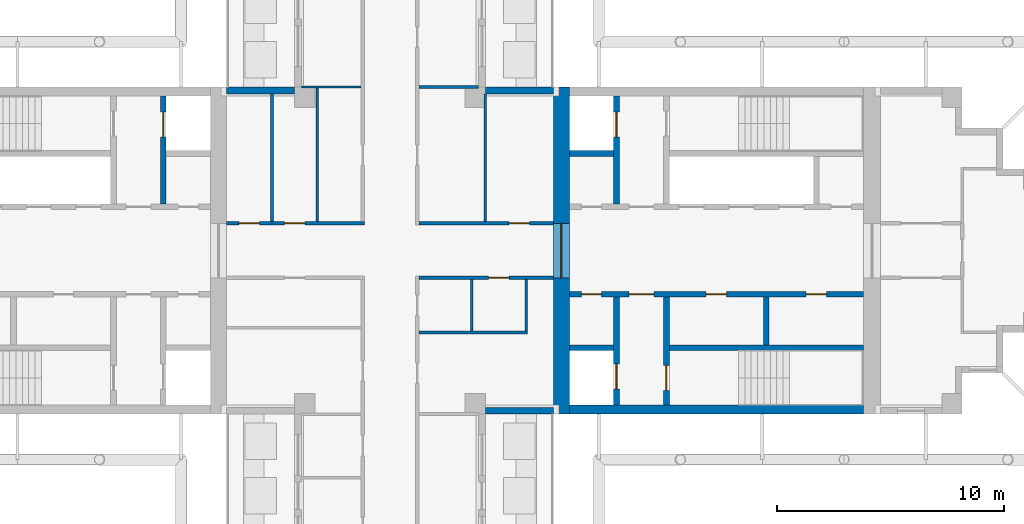
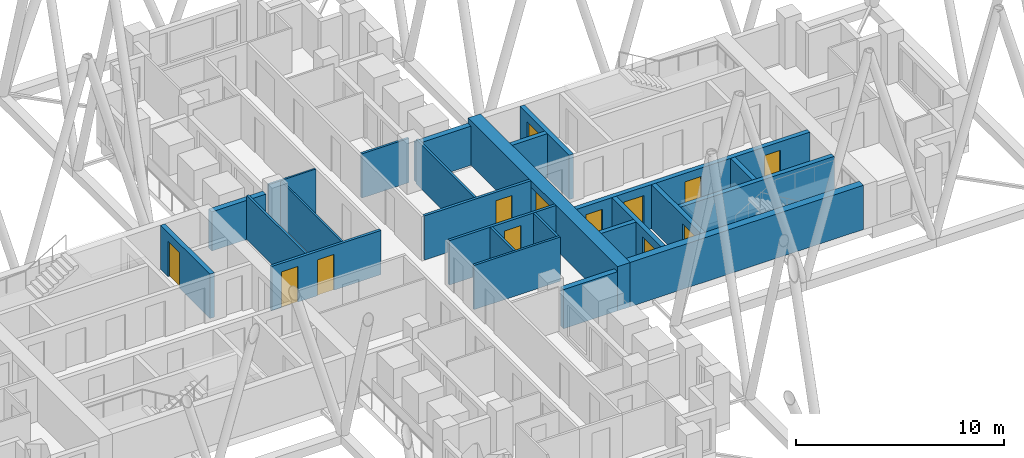
# One storey, part 6 of 11: 25 walls, 13 doors, 13 openings.
"""IFC4 building model written with IfcOpenShell, lengths in metres."""

import ifcopenshell
import ifcopenshell.guid

model = None  # the IFC model being written
_history = None  # IfcOwnerHistory: only IFC2X3 demands one
_inside = {}  # id of a spatial element -> (the spatial element, [elements in it])
_under = {}  # id of a project, library or spatial element -> (it, [spatial elements below it])
_declared = {}  # id of a project -> (the project, [libraries it declares])
_typed = {}  # id of a type object -> (the type object, [elements of that type])
_made_of = {}  # id of a material, layer set ... -> (it, [elements and type objects made of it])


def new_model(schema):
    """Start an empty IFC model of exactly this schema.

    Asked for "IFC4X3", IfcOpenShell would pick the latest addendum, in which some entities
    have other attributes; the version numbers below select the first issue.
    IFC2X3 requires an IfcOwnerHistory on every rooted entity: one is made here for all.
    """
    global model, _history
    if schema == "IFC4X3":
        model = ifcopenshell.file(schema_version=(4, 3, 0, 0))
    else:
        model = ifcopenshell.file(schema=schema)
    _inside.clear()
    _under.clear()
    _declared.clear()
    _typed.clear()
    _made_of.clear()
    _history = None
    if model.schema == "IFC2X3":
        org = make("IfcOrganization", Name="unknown")
        user = make(
            "IfcPersonAndOrganization",
            ThePerson=make("IfcPerson", FamilyName="unknown"),
            TheOrganization=org,
        )
        app = make(
            "IfcApplication",
            ApplicationDeveloper=org,
            Version="unknown",
            ApplicationFullName="unknown",
            ApplicationIdentifier="unknown",
        )
        _history = make(
            "IfcOwnerHistory",
            OwningUser=user,
            OwningApplication=app,
            ChangeAction="ADDED",
            CreationDate=0,
        )
    return model


def make(cls, **values):
    """One entity of the class cls with the attributes given. An attribute that is None is left unset."""
    return model.create_entity(
        cls, **{name: value for name, value in values.items() if value is not None}
    )


def rooted(cls, **values):
    """An entity with a GlobalId (a new one), such as an element, a storey or a relation."""
    return make(cls, GlobalId=ifcopenshell.guid.new(), OwnerHistory=_history, **values)


def si_unit(unit_type, name, prefix=None):
    """IfcSIUnit, for example si_unit("LENGTHUNIT", "METRE", prefix="MILLI")."""
    return make("IfcSIUnit", UnitType=unit_type, Prefix=prefix, Name=name)


def assignment(units):
    """IfcUnitAssignment: the units of a project."""
    return None if units is None else make("IfcUnitAssignment", Units=units)


def point(xyz):
    """IfcCartesianPoint."""
    return None if xyz is None else make("IfcCartesianPoint", Coordinates=xyz)


def direction(xyz):
    """IfcDirection."""
    return None if xyz is None else make("IfcDirection", DirectionRatios=xyz)


def frame(location, z_axis=None, x_axis=None):
    """IfcAxis2Placement3D, a coordinate frame: its origin and axes. An axis left out is left unset."""
    return make(
        "IfcAxis2Placement3D",
        Location=point(location),
        Axis=direction(z_axis),
        RefDirection=direction(x_axis),
    )


def frame_2d(location, x_axis=None):
    """IfcAxis2Placement2D, a coordinate frame in the plane: its origin and x axis."""
    return make(
        "IfcAxis2Placement2D", Location=point(location), RefDirection=direction(x_axis)
    )


def origin():
    """The frame at (0, 0, 0) with its axes left unset."""
    return frame((0.0, 0.0, 0.0))


def place(relative_to, where):
    """IfcLocalPlacement: puts the frame where relative to a parent placement (None: the world)."""
    return make(
        "IfcLocalPlacement", PlacementRelTo=relative_to, RelativePlacement=where
    )


def context(
    kind, dimensions, precision=None, world=None, true_north=None, identifier=None
):
    """IfcGeometricRepresentationContext, for example the 3D "Model" context."""
    return make(
        "IfcGeometricRepresentationContext",
        ContextIdentifier=identifier,
        ContextType=kind,
        CoordinateSpaceDimension=dimensions,
        Precision=precision,
        WorldCoordinateSystem=world,
        TrueNorth=true_north,
    )


def subcontext(parent, identifier, kind, view, scale=None):
    """IfcGeometricRepresentationSubContext, for example "Body" below "Model"."""
    return make(
        "IfcGeometricRepresentationSubContext",
        ContextIdentifier=identifier,
        ContextType=kind,
        ParentContext=parent,
        TargetScale=scale,
        TargetView=view,
    )


def project(units=None, contexts=None):
    """IfcProject with its units and contexts."""
    return rooted(
        "IfcProject",
        Name="project",
        RepresentationContexts=contexts,
        UnitsInContext=assignment(units),
    )


def spatial(cls, under=None, at=None, **own):
    """A site, building, storey or space (cls), placed at a placement, below another one or the project."""
    s = rooted(cls, ObjectPlacement=at, **own)
    if under is not None:
        _under.setdefault(under.id(), (under, []))[1].append(s)
    return s


def profile(cls, at=None, kind="AREA", **sizes):
    """A parametric profile (cls). Its sizes go by their IFC names, for example OverallWidth=200.0."""
    return make(cls, ProfileType=kind, Position=at, **sizes)


def rectangle(**sizes):
    """IfcRectangleProfileDef."""
    return profile("IfcRectangleProfileDef", **sizes)


def extrude(swept, where, along, depth):
    """IfcExtrudedAreaSolid: the profile swept, set in the frame where, extruded along a direction by depth."""
    return make(
        "IfcExtrudedAreaSolid",
        SweptArea=swept,
        Position=where,
        ExtrudedDirection=direction(along),
        Depth=depth,
    )


def shape(context_of_items, identifier, shape_type, items):
    """IfcShapeRepresentation: the items that make up one representation, for example the "Body"."""
    return make(
        "IfcShapeRepresentation",
        ContextOfItems=context_of_items,
        RepresentationIdentifier=identifier,
        RepresentationType=shape_type,
        Items=items,
    )


def material(Name=None, Category=None):
    """IfcMaterial."""
    return make("IfcMaterial", Name=Name, Category=Category)


def layer(
    of_material, thickness, ventilated=None, Name=None, Category=None, Priority=None
):
    """IfcMaterialLayer: one layer of a wall or slab, of a material (None: an air gap)."""
    return make(
        "IfcMaterialLayer",
        Material=of_material,
        LayerThickness=thickness,
        IsVentilated=ventilated,
        Name=Name,
        Category=Category,
        Priority=Priority,
    )


def layer_set(layers, Name=None):
    """IfcMaterialLayerSet."""
    return make("IfcMaterialLayerSet", MaterialLayers=layers, LayerSetName=Name)


def made_of(thing, what):
    """Note that an element or type object is made of a material, layer set ...; save() writes the relation."""
    if what is not None:
        _made_of.setdefault(what.id(), (what, []))[1].append(thing)
    return thing


def type_object(cls, material=None, **own):
    """A type object (cls), such as IfcWallType, which elements share."""
    return made_of(rooted(cls, **own), material)


def element(
    cls,
    number,
    at=None,
    inside=None,
    cuts=None,
    type_object=None,
    material=None,
    context=None,
    identifier="Body",
    shape_type=None,
    held_by="IfcProductDefinitionShape",
    body=None,
    shapes=None,
    **own,
):
    """One element of the class cls, such as IfcWall. Its Tag is "e" and its number.

    at: its placement. inside: the storey or other place that contains it. cuts: it is an
    opening in that element (IfcRelVoidsElement). A single representation is given by context,
    identifier, shape_type and body (its items); several are given by shapes. held_by: the class
    of the entity that holds the representations. save() writes the other relations.
    """
    e = rooted(cls, Tag="e%d" % number, ObjectPlacement=at, **own)
    if body is not None:
        shapes = [shape(context, identifier, shape_type, body)]
    if shapes is not None:
        e.Representation = make(held_by, Representations=shapes)
    if inside is not None:
        _inside.setdefault(inside.id(), (inside, []))[1].append(e)
    if cuts is not None:
        rooted(
            "IfcRelVoidsElement", RelatingBuildingElement=cuts, RelatedOpeningElement=e
        )
    if type_object is not None:
        _typed.setdefault(type_object.id(), (type_object, []))[1].append(e)
    return made_of(e, material)


def fill(opening, filler):
    """IfcRelFillsElement: the door or window that sits in an opening."""
    return rooted(
        "IfcRelFillsElement",
        RelatingOpeningElement=opening,
        RelatedBuildingElement=filler,
    )


def aggregate(whole, parts):
    """IfcRelAggregates: a whole, such as a stair, and the parts it consists of."""
    return rooted("IfcRelAggregates", RelatingObject=whole, RelatedObjects=parts)


def save(model, path):
    """Write the relations noted so far, then the file.

    IfcRelAggregates (storeys below a building ...), IfcRelContainedInSpatialStructure (elements
    in a storey), IfcRelDefinesByType, IfcRelAssociatesMaterial and IfcRelDeclares: one each for
    every whole, place, type object, material and project.
    """
    for whole, parts in _under.values():
        aggregate(whole, parts)
    for where, things in _inside.values():
        rooted(
            "IfcRelContainedInSpatialStructure",
            RelatedElements=things,
            RelatingStructure=where,
        )
    for kind, things in _typed.values():
        rooted("IfcRelDefinesByType", RelatedObjects=things, RelatingType=kind)
    for what, things in _made_of.values():
        rooted("IfcRelAssociatesMaterial", RelatedObjects=things, RelatingMaterial=what)
    for by, libraries in _declared.values():
        rooted("IfcRelDeclares", RelatingContext=by, RelatedDefinitions=libraries)
    model.write(path)


model = new_model("IFC4")

# Units and contexts
model_context = context("Model", 3, precision=1e-05, world=origin(), true_north=direction((0.0, 1.0)))
body_context = subcontext(model_context, "Body", "Model", "MODEL_VIEW")
ifc_project = project(units=[si_unit("LENGTHUNIT", "METRE"), si_unit("AREAUNIT", "SQUARE_METRE"), si_unit("VOLUMEUNIT", "CUBIC_METRE"), si_unit("PLANEANGLEUNIT", "RADIAN"), si_unit("MASSUNIT", "GRAM", prefix="KILO")], contexts=[model_context])

# Site, building, storey
site_placement = place(None, origin())
site = spatial("IfcSite", under=ifc_project, at=site_placement, CompositionType="ELEMENT")
building_placement = place(site_placement, origin())
building = spatial("IfcBuilding", under=site, at=building_placement, Name="Fustian Cross Tower", CompositionType="ELEMENT")
storey_placement = place(building_placement, frame((0.0, 0.0, 198.89990234375)))
storey = spatial("IfcBuildingStorey", under=building, at=storey_placement, Name="L62", CompositionType="ELEMENT", Elevation=198.89990234375)

# Wall, openings, doors
ifc_material_1 = material(Name="Plasterboard on steel stud", Category="steel")
ifc_layer_1 = layer(ifc_material_1, 0.14990234375)
ifc_layer_set_1 = layer_set([ifc_layer_1], Name="Plasterboard on steel stud")
wall_type_1 = type_object("IfcWallType", Name="COMPARTMENT WALL 150 EI 60", PredefinedType="PARTITIONING", material=ifc_layer_set_1)
wall_1_placement = place(storey_placement, frame((-7.199951171875, 1.199951171875, 0.0), z_axis=(0.0, 0.0, 1.0), x_axis=(1.0, 0.0, 0.0)))
wall_1 = element("IfcWall", 1, at=wall_1_placement, inside=storey, type_object=wall_type_1, Name="Partition 12", PredefinedType="PARTITIONING", context=body_context, shape_type="SweptSolid", body=[
    extrude(rectangle(XDim=6.074951171875, YDim=0.14990234375, at=frame_2d((3.03759765625, 0.0))), origin(), (0.0, 0.0, 1.0), 2.60009765625),
])
opening_1_placement = place(wall_1_placement, frame((2.550048828125, 0.0, 0.0)))
opening_1 = element("IfcOpeningElement", 2, at=opening_1_placement, cuts=wall_1, Name="Opening D29004", PredefinedType="OPENING", context=body_context, shape_type="SweptSolid", body=[
    extrude(rectangle(XDim=0.89990234375, YDim=2.10009765625, at=frame_2d((0.449951171875, 1.050048828125))), frame((0.0, 0.0849609375, 0.0), z_axis=(0.0, -1.0, 0.0), x_axis=(1.0, 0.0, 0.0)), (0.0, 0.0, 1.0), 0.169921875),
])
opening_2_placement = place(wall_1_placement, frame((0.550048828125, 0.0, 0.0)))
opening_2 = element("IfcOpeningElement", 3, at=opening_2_placement, cuts=wall_1, Name="Opening D29005", PredefinedType="OPENING", context=body_context, shape_type="SweptSolid", body=[
    extrude(rectangle(XDim=0.89990234375, YDim=2.10009765625, at=frame_2d((0.449951171875, 1.050048828125))), frame((0.0, 0.0849609375, 0.0), z_axis=(0.0, -1.0, 0.0), x_axis=(1.0, 0.0, 0.0)), (0.0, 0.0, 1.0), 0.169921875),
])
ifc_material_2 = material(Name="Timber fire door set", Category="wood")
door_type_1 = type_object("IfcDoorType", Name="FIRE SWING DOOR 900 FD30S", OperationType="SINGLE_SWING_LEFT", PredefinedType="DOOR", material=ifc_material_2)
door_1_placement = place(opening_1_placement, origin())
door_1 = element("IfcDoor", 4, at=door_1_placement, inside=storey, type_object=door_type_1, Name="Door D29004", OperationType="SINGLE_SWING_LEFT", OverallHeight=2.10009765625, OverallWidth=0.89990234375, PredefinedType="DOOR", context=body_context, shape_type="SweptSolid", body=[
    extrude(rectangle(XDim=0.89990234375, YDim=2.10009765625, at=frame_2d((0.449951171875, 1.050048828125))), frame((0.0, 0.02490234375, 0.0), z_axis=(0.0, -1.0, 0.0), x_axis=(1.0, 0.0, 0.0)), (0.0, 0.0, 1.0), 0.050048828125),
])
fill(opening_1, door_1)
door_2_placement = place(opening_2_placement, origin())
door_2 = element("IfcDoor", 5, at=door_2_placement, inside=storey, type_object=door_type_1, Name="Door D29005", OperationType="SINGLE_SWING_LEFT", OverallHeight=2.10009765625, OverallWidth=0.89990234375, PredefinedType="DOOR", context=body_context, shape_type="SweptSolid", body=[
    extrude(rectangle(XDim=0.89990234375, YDim=2.10009765625, at=frame_2d((0.449951171875, 1.050048828125))), frame((0.0, 0.02490234375, 0.0), z_axis=(0.0, -1.0, 0.0), x_axis=(1.0, 0.0, 0.0)), (0.0, 0.0, 1.0), 0.050048828125),
])
fill(opening_2, door_2)

# Wall, opening, door
wall_2_placement = place(storey_placement, frame((1.27490234375, -1.199951171875, 0.0), z_axis=(0.0, 0.0, 1.0), x_axis=(1.0, 0.0, 0.0)))
wall_2 = element("IfcWall", 6, at=wall_2_placement, inside=storey, type_object=wall_type_1, Name="Partition 36", PredefinedType="PARTITIONING", context=body_context, shape_type="SweptSolid", body=[
    extrude(rectangle(XDim=5.925048828125, YDim=0.14990234375, at=frame_2d((2.96240234375, 0.0))), origin(), (0.0, 0.0, 1.0), 2.60009765625),
])
opening_3_placement = place(wall_2_placement, frame((3.074951171875, 0.0, 0.0)))
opening_3 = element("IfcOpeningElement", 7, at=opening_3_placement, cuts=wall_2, Name="Opening D29007", PredefinedType="OPENING", context=body_context, shape_type="SweptSolid", body=[
    extrude(rectangle(XDim=0.89990234375, YDim=2.10009765625, at=frame_2d((0.449951171875, 1.050048828125))), frame((0.0, 0.0849609375, 0.0), z_axis=(0.0, -1.0, 0.0), x_axis=(1.0, 0.0, 0.0)), (0.0, 0.0, 1.0), 0.169921875),
])
door_3_placement = place(opening_3_placement, frame((0.89990234375, 0.0, 0.0), z_axis=(0.0, 0.0, 1.0), x_axis=(-1.0, 0.0, 0.0)))
door_3 = element("IfcDoor", 8, at=door_3_placement, inside=storey, type_object=door_type_1, Name="Door D29007", OperationType="SINGLE_SWING_RIGHT", OverallHeight=2.10009765625, OverallWidth=0.89990234375, PredefinedType="DOOR", context=body_context, shape_type="SweptSolid", body=[
    extrude(rectangle(XDim=0.89990234375, YDim=2.10009765625, at=frame_2d((0.449951171875, 1.050048828125))), frame((0.0, 0.02490234375, 0.0), z_axis=(0.0, -1.0, 0.0), x_axis=(1.0, 0.0, 0.0)), (0.0, 0.0, 1.0), 0.050048828125),
])
fill(opening_3, door_3)

wall_3_placement = place(storey_placement, frame((1.27490234375, 1.199951171875, 0.0), z_axis=(0.0, 0.0, 1.0), x_axis=(1.0, 0.0, 0.0)))
wall_3 = element("IfcWall", 9, at=wall_3_placement, inside=storey, type_object=wall_type_1, Name="Partition 38", PredefinedType="PARTITIONING", context=body_context, shape_type="SweptSolid", body=[
    extrude(rectangle(XDim=5.925048828125, YDim=0.14990234375, at=frame_2d((2.96240234375, 0.0))), origin(), (0.0, 0.0, 1.0), 2.60009765625),
])
opening_4_placement = place(wall_3_placement, frame((3.97509765625, 0.0, 0.0)))
opening_4 = element("IfcOpeningElement", 10, at=opening_4_placement, cuts=wall_3, Name="Opening D29002", PredefinedType="OPENING", context=body_context, shape_type="SweptSolid", body=[
    extrude(rectangle(XDim=0.89990234375, YDim=2.10009765625, at=frame_2d((0.449951171875, 1.050048828125))), frame((0.0, 0.0849609375, 0.0), z_axis=(0.0, -1.0, 0.0), x_axis=(1.0, 0.0, 0.0)), (0.0, 0.0, 1.0), 0.169921875),
])
door_4_placement = place(opening_4_placement, origin())
door_4 = element("IfcDoor", 11, at=door_4_placement, inside=storey, type_object=door_type_1, Name="Door D29002", OperationType="SINGLE_SWING_RIGHT", OverallHeight=2.10009765625, OverallWidth=0.89990234375, PredefinedType="DOOR", context=body_context, shape_type="SweptSolid", body=[
    extrude(rectangle(XDim=0.89990234375, YDim=2.10009765625, at=frame_2d((0.449951171875, 1.050048828125))), frame((0.0, 0.02490234375, 0.0), z_axis=(0.0, -1.0, 0.0), x_axis=(1.0, 0.0, 0.0)), (0.0, 0.0, 1.0), 0.050048828125),
])
fill(opening_4, door_4)

ifc_material_3 = material(Name="Concrete C50/60", Category="concrete")
ifc_layer_2 = layer(ifc_material_3, 0.699951171875)
ifc_layer_set_2 = layer_set([ifc_layer_2], Name="Concrete C50/60")
wall_type_2 = type_object("IfcWallType", Name="CORE END WALL 700 C50/60", PredefinedType="SHEAR", material=ifc_layer_set_2)
wall_4_placement = place(storey_placement, frame((7.550048828125, -7.199951171875, 0.0), z_axis=(0.0, 0.0, 1.0), x_axis=(0.0, 1.0, 0.0)))
wall_4 = element("IfcWall", 12, at=wall_4_placement, inside=storey, type_object=wall_type_2, Name="Core end wall", PredefinedType="SHEAR", context=body_context, shape_type="SweptSolid", body=[
    extrude(rectangle(XDim=14.39990234375, YDim=0.699951171875, at=frame_2d((7.199951171875, 0.0))), origin(), (0.0, 0.0, 1.0), 2.60009765625),
])
opening_5_placement = place(wall_4_placement, frame((6.0, 0.0, 0.0)))
opening_5 = element("IfcOpeningElement", 13, at=opening_5_placement, cuts=wall_4, Name="Opening CD-27-12", PredefinedType="OPENING", context=body_context, shape_type="SweptSolid", body=[
    extrude(rectangle(XDim=2.39990234375, YDim=2.199951171875, at=frame_2d((1.199951171875, 1.10009765625))), frame((0.0, 0.35986328125, 0.0), z_axis=(0.0, -1.0, 0.0), x_axis=(1.0, 0.0, 0.0)), (0.0, 0.0, 1.0), 0.719970703125),
])
ifc_material_4 = material(Name="Steel", Category="steel")
door_type_2 = type_object("IfcDoorType", Name="FIRE DOOR FD30S DOUBLE 2400X2200", OperationType="DOUBLE_DOOR_DOUBLE_SWING", PredefinedType="DOOR", material=ifc_material_4)
door_5_placement = place(opening_5_placement, frame((2.39990234375, 0.0, 0.0), z_axis=(0.0, 0.0, 1.0), x_axis=(-1.0, 0.0, 0.0)))
door_5 = element("IfcDoor", 14, at=door_5_placement, inside=storey, type_object=door_type_2, Name="Core door CD-27-12", OperationType="DOUBLE_DOOR_DOUBLE_SWING", OverallHeight=2.199951171875, OverallWidth=2.39990234375, PredefinedType="DOOR", context=body_context, shape_type="SweptSolid", body=[
    extrude(rectangle(XDim=2.39990234375, YDim=2.199951171875, at=frame_2d((1.199951171875, 1.10009765625))), frame((0.0, 0.02490234375, 0.0), z_axis=(0.0, -1.0, 0.0), x_axis=(1.0, 0.0, 0.0)), (0.0, 0.0, 1.0), 0.050048828125),
])
fill(opening_5, door_5)

# Wall
ifc_material_5 = material(Name="Concrete C50/60", Category="concrete")
ifc_layer_3 = layer(ifc_material_5, 0.39990234375)
ifc_layer_set_3 = layer_set([ifc_layer_3], Name="Concrete C50/60")
wall_type_3 = type_object("IfcWallType", Name="CORE FACADE WALL 400 C50/60", PredefinedType="SHEAR", material=ifc_layer_set_3)
wall_5_placement = place(storey_placement, frame((7.89990234375, -7.0, 0.0), z_axis=(0.0, 0.0, 1.0), x_axis=(1.0, 0.0, 0.0)))
element("IfcWall", 15, at=wall_5_placement, inside=storey, type_object=wall_type_3, Name="Core facade wall", PredefinedType="SHEAR", context=body_context, shape_type="SweptSolid", body=[
    extrude(rectangle(XDim=12.9501953125, YDim=0.39990234375, at=frame_2d((6.47509765625, 0.0))), origin(), (0.0, 0.0, 1.0), 2.60009765625),
])

# Wall, openings, doors
ifc_material_6 = material(Name="Concrete C50/60", Category="concrete")
ifc_layer_4 = layer(ifc_material_6, 0.25)
ifc_layer_set_4 = layer_set([ifc_layer_4], Name="Concrete C50/60")
wall_type_4 = type_object("IfcWallType", Name="CORE LOBBY WALL 250 C50/60", PredefinedType="SHEAR", material=ifc_layer_set_4)
wall_6_placement = place(storey_placement, frame((7.89990234375, -1.925048828125, 0.0), z_axis=(0.0, 0.0, 1.0), x_axis=(1.0, 0.0, 0.0)))
wall_6 = element("IfcWall", 16, at=wall_6_placement, inside=storey, type_object=wall_type_4, Name="Core lobby wall", PredefinedType="SHEAR", context=body_context, shape_type="SweptSolid", body=[
    extrude(rectangle(XDim=12.9501953125, YDim=0.25, at=frame_2d((6.47509765625, 0.0))), origin(), (0.0, 0.0, 1.0), 2.60009765625),
])
opening_6_placement = place(wall_6_placement, frame((0.52490234375, 0.0, 0.0)))
opening_6 = element("IfcOpeningElement", 17, at=opening_6_placement, cuts=wall_6, Name="Opening CD-27-09", PredefinedType="OPENING", context=body_context, shape_type="SweptSolid", body=[
    extrude(rectangle(XDim=0.89990234375, YDim=2.10009765625, at=frame_2d((0.449951171875, 1.050048828125))), frame((0.0, 0.135009765625, 0.0), z_axis=(0.0, -1.0, 0.0), x_axis=(1.0, 0.0, 0.0)), (0.0, 0.0, 1.0), 0.27001953125),
])
opening_7_placement = place(wall_6_placement, frame((2.625, 0.0, 0.0)))
opening_7 = element("IfcOpeningElement", 18, at=opening_7_placement, cuts=wall_6, Name="Opening CD-27-11", PredefinedType="OPENING", context=body_context, shape_type="SweptSolid", body=[
    extrude(rectangle(XDim=1.10009765625, YDim=2.10009765625, at=frame_2d((0.550048828125, 1.050048828125))), frame((0.0, 0.135009765625, 0.0), z_axis=(0.0, -1.0, 0.0), x_axis=(1.0, 0.0, 0.0)), (0.0, 0.0, 1.0), 0.27001953125),
])
opening_8_placement = place(wall_6_placement, frame((6.02490234375, 0.0, 0.0)))
opening_8 = element("IfcOpeningElement", 19, at=opening_8_placement, cuts=wall_6, Name="Opening CD-27-15", PredefinedType="OPENING", context=body_context, shape_type="SweptSolid", body=[
    extrude(rectangle(XDim=0.89990234375, YDim=2.10009765625, at=frame_2d((0.449951171875, 1.050048828125))), frame((0.0, 0.135009765625, 0.0), z_axis=(0.0, -1.0, 0.0), x_axis=(1.0, 0.0, 0.0)), (0.0, 0.0, 1.0), 0.27001953125),
])
opening_9_placement = place(wall_6_placement, frame((10.425048828125, 0.0, 0.0)))
opening_9 = element("IfcOpeningElement", 20, at=opening_9_placement, cuts=wall_6, Name="Opening CD-27-16", PredefinedType="OPENING", context=body_context, shape_type="SweptSolid", body=[
    extrude(rectangle(XDim=0.89990234375, YDim=2.10009765625, at=frame_2d((0.449951171875, 1.050048828125))), frame((0.0, 0.135009765625, 0.0), z_axis=(0.0, -1.0, 0.0), x_axis=(1.0, 0.0, 0.0)), (0.0, 0.0, 1.0), 0.27001953125),
])
ifc_material_7 = material(Name="Steel", Category="steel")
door_type_3 = type_object("IfcDoorType", Name="FIRE DOOR FD30S 1100X2100", OperationType="SINGLE_SWING_LEFT", PredefinedType="DOOR", material=ifc_material_7)
door_6_placement = place(opening_7_placement, frame((1.10009765625, 0.0, 0.0), z_axis=(0.0, 0.0, 1.0), x_axis=(-1.0, 0.0, 0.0)))
door_6 = element("IfcDoor", 21, at=door_6_placement, inside=storey, type_object=door_type_3, Name="Core door CD-27-11", OperationType="SINGLE_SWING_RIGHT", OverallHeight=2.10009765625, OverallWidth=1.10009765625, PredefinedType="DOOR", context=body_context, shape_type="SweptSolid", body=[
    extrude(rectangle(XDim=1.10009765625, YDim=2.10009765625, at=frame_2d((0.550048828125, 1.050048828125))), frame((0.0, 0.02490234375, 0.0), z_axis=(0.0, -1.0, 0.0), x_axis=(1.0, 0.0, 0.0)), (0.0, 0.0, 1.0), 0.050048828125),
])
fill(opening_7, door_6)
ifc_material_8 = material(Name="Steel", Category="steel")
door_type_4 = type_object("IfcDoorType", Name="FIRE DOOR FD30S 900X2100", OperationType="SINGLE_SWING_LEFT", PredefinedType="DOOR", material=ifc_material_8)
door_7_placement = place(opening_6_placement, frame((0.89990234375, 0.0, 0.0), z_axis=(0.0, 0.0, 1.0), x_axis=(-1.0, 0.0, 0.0)))
door_7 = element("IfcDoor", 22, at=door_7_placement, inside=storey, type_object=door_type_4, Name="Core door CD-27-09", OperationType="SINGLE_SWING_RIGHT", OverallHeight=2.10009765625, OverallWidth=0.89990234375, PredefinedType="DOOR", context=body_context, shape_type="SweptSolid", body=[
    extrude(rectangle(XDim=0.89990234375, YDim=2.10009765625, at=frame_2d((0.449951171875, 1.050048828125))), frame((0.0, 0.02490234375, 0.0), z_axis=(0.0, -1.0, 0.0), x_axis=(1.0, 0.0, 0.0)), (0.0, 0.0, 1.0), 0.050048828125),
])
fill(opening_6, door_7)
door_8_placement = place(opening_8_placement, frame((0.89990234375, 0.0, 0.0), z_axis=(0.0, 0.0, 1.0), x_axis=(-1.0, 0.0, 0.0)))
door_8 = element("IfcDoor", 23, at=door_8_placement, inside=storey, type_object=door_type_4, Name="Core door CD-27-15", OperationType="SINGLE_SWING_LEFT", OverallHeight=2.10009765625, OverallWidth=0.89990234375, PredefinedType="DOOR", context=body_context, shape_type="SweptSolid", body=[
    extrude(rectangle(XDim=0.89990234375, YDim=2.10009765625, at=frame_2d((0.449951171875, 1.050048828125))), frame((0.0, 0.02490234375, 0.0), z_axis=(0.0, -1.0, 0.0), x_axis=(1.0, 0.0, 0.0)), (0.0, 0.0, 1.0), 0.050048828125),
])
fill(opening_8, door_8)
door_9_placement = place(opening_9_placement, frame((0.89990234375, 0.0, 0.0), z_axis=(0.0, 0.0, 1.0), x_axis=(-1.0, 0.0, 0.0)))
door_9 = element("IfcDoor", 24, at=door_9_placement, inside=storey, type_object=door_type_4, Name="Core door CD-27-16", OperationType="SINGLE_SWING_LEFT", OverallHeight=2.10009765625, OverallWidth=0.89990234375, PredefinedType="DOOR", context=body_context, shape_type="SweptSolid", body=[
    extrude(rectangle(XDim=0.89990234375, YDim=2.10009765625, at=frame_2d((0.449951171875, 1.050048828125))), frame((0.0, 0.02490234375, 0.0), z_axis=(0.0, -1.0, 0.0), x_axis=(1.0, 0.0, 0.0)), (0.0, 0.0, 1.0), 0.050048828125),
])
fill(opening_9, door_9)

# Wall
ifc_material_9 = material(Name="Concrete C50/60", Category="concrete")
ifc_layer_5 = layer(ifc_material_9, 0.25)
ifc_layer_set_5 = layer_set([ifc_layer_5], Name="Concrete C50/60")
wall_type_5 = type_object("IfcWallType", Name="CORE SHAFT WALL 250 C50/60", PredefinedType="SHEAR", material=ifc_layer_set_5)
wall_7_placement = place(storey_placement, frame((7.89990234375, 4.27490234375, 0.0), z_axis=(0.0, 0.0, 1.0), x_axis=(1.0, 0.0, 0.0)))
element("IfcWall", 25, at=wall_7_placement, inside=storey, type_object=wall_type_5, Name="Core shaft wall", PredefinedType="SHEAR", context=body_context, shape_type="SweptSolid", body=[
    extrude(rectangle(XDim=1.9501953125, YDim=0.25, at=frame_2d((0.97509765625, 0.0))), origin(), (0.0, 0.0, 1.0), 2.60009765625),
])

# Wall, opening, door
wall_8_placement = place(storey_placement, frame((9.97509765625, 2.050048828125, 0.0), z_axis=(0.0, 0.0, 1.0), x_axis=(0.0, 1.0, 0.0)))
wall_8 = element("IfcWall", 26, at=wall_8_placement, inside=storey, type_object=wall_type_5, Name="Core shaft wall", PredefinedType="SHEAR", context=body_context, shape_type="SweptSolid", body=[
    extrude(rectangle(XDim=4.75, YDim=0.25, at=frame_2d((2.375, 0.0))), origin(), (0.0, 0.0, 1.0), 2.60009765625),
])
opening_10_placement = place(wall_8_placement, frame((2.949951171875, 0.0, 0.0)))
opening_10 = element("IfcOpeningElement", 27, at=opening_10_placement, cuts=wall_8, Name="Opening LD", PredefinedType="OPENING", context=body_context, shape_type="SweptSolid", body=[
    extrude(rectangle(XDim=1.10009765625, YDim=2.10009765625, at=frame_2d((0.550048828125, 1.050048828125))), frame((0.0, 0.135009765625, 0.0), z_axis=(0.0, -1.0, 0.0), x_axis=(1.0, 0.0, 0.0)), (0.0, 0.0, 1.0), 0.27001953125),
])
ifc_material_10 = material(Name="Stainless steel", Category="steel")
door_type_5 = type_object("IfcDoorType", Name="LIFT LANDING DOOR 1100X2100", OperationType="SLIDING_TO_LEFT", PredefinedType="DOOR", material=ifc_material_10)
door_10_placement = place(opening_10_placement, origin())
door_10 = element("IfcDoor", 28, at=door_10_placement, inside=storey, type_object=door_type_5, Name="Landing door FL1", OperationType="SLIDING_TO_LEFT", OverallHeight=2.10009765625, OverallWidth=1.10009765625, PredefinedType="DOOR", context=body_context, shape_type="SweptSolid", body=[
    extrude(rectangle(XDim=1.10009765625, YDim=2.10009765625, at=frame_2d((0.550048828125, 1.050048828125))), frame((0.0, 0.02490234375, 0.0), z_axis=(0.0, -1.0, 0.0), x_axis=(1.0, 0.0, 0.0)), (0.0, 0.0, 1.0), 0.050048828125),
])
fill(opening_10, door_10)

# Walls
wall_9_placement = place(storey_placement, frame((7.89990234375, -4.27490234375, 0.0), z_axis=(0.0, 0.0, 1.0), x_axis=(1.0, 0.0, 0.0)))
element("IfcWall", 29, at=wall_9_placement, inside=storey, type_object=wall_type_5, Name="Core shaft wall", PredefinedType="SHEAR", context=body_context, shape_type="SweptSolid", body=[
    extrude(rectangle(XDim=1.9501953125, YDim=0.25, at=frame_2d((0.97509765625, 0.0))), origin(), (0.0, 0.0, 1.0), 2.60009765625),
])
wall_10_placement = place(storey_placement, frame((12.300048828125, -4.27490234375, 0.0), z_axis=(0.0, 0.0, 1.0), x_axis=(1.0, 0.0, 0.0)))
element("IfcWall", 30, at=wall_10_placement, inside=storey, type_object=wall_type_5, Name="Core shaft wall", PredefinedType="SHEAR", context=body_context, shape_type="SweptSolid", body=[
    extrude(rectangle(XDim=8.550048828125, YDim=0.25, at=frame_2d((4.27490234375, 0.0))), origin(), (0.0, 0.0, 1.0), 2.60009765625),
])

# Wall, opening, door
wall_11_placement = place(storey_placement, frame((9.97509765625, -2.050048828125, 0.0), z_axis=(0.0, 0.0, 1.0), x_axis=(0.0, -1.0, 0.0)))
wall_11 = element("IfcWall", 31, at=wall_11_placement, inside=storey, type_object=wall_type_5, Name="Core shaft wall", PredefinedType="SHEAR", context=body_context, shape_type="SweptSolid", body=[
    extrude(rectangle(XDim=4.75, YDim=0.25, at=frame_2d((2.375, 0.0))), origin(), (0.0, 0.0, 1.0), 2.60009765625),
])
opening_11_placement = place(wall_11_placement, frame((2.949951171875, 0.0, 0.0)))
opening_11 = element("IfcOpeningElement", 32, at=opening_11_placement, cuts=wall_11, Name="Opening LD", PredefinedType="OPENING", context=body_context, shape_type="SweptSolid", body=[
    extrude(rectangle(XDim=1.10009765625, YDim=2.10009765625, at=frame_2d((0.550048828125, 1.050048828125))), frame((0.0, 0.135009765625, 0.0), z_axis=(0.0, -1.0, 0.0), x_axis=(1.0, 0.0, 0.0)), (0.0, 0.0, 1.0), 0.27001953125),
])
door_11_placement = place(opening_11_placement, origin())
door_11 = element("IfcDoor", 33, at=door_11_placement, inside=storey, type_object=door_type_5, Name="Landing door SV1", OperationType="SLIDING_TO_LEFT", OverallHeight=2.10009765625, OverallWidth=1.10009765625, PredefinedType="DOOR", context=body_context, shape_type="SweptSolid", body=[
    extrude(rectangle(XDim=1.10009765625, YDim=2.10009765625, at=frame_2d((0.550048828125, 1.050048828125))), frame((0.0, 0.02490234375, 0.0), z_axis=(0.0, -1.0, 0.0), x_axis=(1.0, 0.0, 0.0)), (0.0, 0.0, 1.0), 0.050048828125),
])
fill(opening_11, door_11)

wall_12_placement = place(storey_placement, frame((12.175048828125, -2.050048828125, 0.0), z_axis=(0.0, 0.0, 1.0), x_axis=(0.0, -1.0, 0.0)))
wall_12 = element("IfcWall", 34, at=wall_12_placement, inside=storey, type_object=wall_type_5, Name="Core shaft wall", PredefinedType="SHEAR", context=body_context, shape_type="SweptSolid", body=[
    extrude(rectangle(XDim=4.75, YDim=0.25, at=frame_2d((2.375, 0.0))), origin(), (0.0, 0.0, 1.0), 2.60009765625),
])
opening_12_placement = place(wall_12_placement, frame((3.0, 0.0, 0.0)))
opening_12 = element("IfcOpeningElement", 35, at=opening_12_placement, cuts=wall_12, Name="Opening CD-27-07", PredefinedType="OPENING", context=body_context, shape_type="SweptSolid", body=[
    extrude(rectangle(XDim=1.10009765625, YDim=2.10009765625, at=frame_2d((0.550048828125, 1.050048828125))), frame((0.0, 0.135009765625, 0.0), z_axis=(0.0, -1.0, 0.0), x_axis=(1.0, 0.0, 0.0)), (0.0, 0.0, 1.0), 0.27001953125),
])
ifc_material_11 = material(Name="Steel", Category="steel")
door_type_6 = type_object("IfcDoorType", Name="FIRE DOOR FD60S 1100X2100", OperationType="SINGLE_SWING_LEFT", PredefinedType="DOOR", material=ifc_material_11)
door_12_placement = place(opening_12_placement, origin())
door_12 = element("IfcDoor", 36, at=door_12_placement, inside=storey, type_object=door_type_6, Name="Core door CD-27-07", OperationType="SINGLE_SWING_LEFT", OverallHeight=2.10009765625, OverallWidth=1.10009765625, PredefinedType="DOOR", context=body_context, shape_type="SweptSolid", body=[
    extrude(rectangle(XDim=1.10009765625, YDim=2.10009765625, at=frame_2d((0.550048828125, 1.050048828125))), frame((0.0, 0.02490234375, 0.0), z_axis=(0.0, -1.0, 0.0), x_axis=(1.0, 0.0, 0.0)), (0.0, 0.0, 1.0), 0.050048828125),
])
fill(opening_12, door_12)

wall_13_placement = place(storey_placement, frame((-9.97509765625, 2.050048828125, 0.0), z_axis=(0.0, 0.0, 1.0), x_axis=(0.0, 1.0, 0.0)))
wall_13 = element("IfcWall", 37, at=wall_13_placement, inside=storey, type_object=wall_type_5, Name="Core shaft wall", PredefinedType="SHEAR", context=body_context, shape_type="SweptSolid", body=[
    extrude(rectangle(XDim=4.75, YDim=0.25, at=frame_2d((2.375, 0.0))), origin(), (0.0, 0.0, 1.0), 2.60009765625),
])
opening_13_placement = place(wall_13_placement, frame((2.949951171875, 0.0, 0.0)))
opening_13 = element("IfcOpeningElement", 38, at=opening_13_placement, cuts=wall_13, Name="Opening LD", PredefinedType="OPENING", context=body_context, shape_type="SweptSolid", body=[
    extrude(rectangle(XDim=1.10009765625, YDim=2.10009765625, at=frame_2d((0.550048828125, 1.050048828125))), frame((0.0, 0.135009765625, 0.0), z_axis=(0.0, -1.0, 0.0), x_axis=(1.0, 0.0, 0.0)), (0.0, 0.0, 1.0), 0.27001953125),
])
door_13_placement = place(opening_13_placement, origin())
door_13 = element("IfcDoor", 39, at=door_13_placement, inside=storey, type_object=door_type_5, Name="Landing door FL1W", OperationType="SLIDING_TO_LEFT", OverallHeight=2.10009765625, OverallWidth=1.10009765625, PredefinedType="DOOR", context=body_context, shape_type="SweptSolid", body=[
    extrude(rectangle(XDim=1.10009765625, YDim=2.10009765625, at=frame_2d((0.550048828125, 1.050048828125))), frame((0.0, 0.02490234375, 0.0), z_axis=(0.0, -1.0, 0.0), x_axis=(1.0, 0.0, 0.0)), (0.0, 0.0, 1.0), 0.050048828125),
])
fill(opening_13, door_13)

# Walls
ifc_material_12 = material(Name="Plasterboard on steel stud", Category="steel")
ifc_layer_6 = layer(ifc_material_12, 0.10009765625)
ifc_layer_set_6 = layer_set([ifc_layer_6], Name="Plasterboard on steel stud")
wall_type_6 = type_object("IfcWallType", Name="PARTITION 100 STUD", PredefinedType="PARTITIONING", material=ifc_layer_set_6)
wall_14_placement = place(storey_placement, frame((-3.89990234375, 7.199951171875, 0.0), z_axis=(0.0, 0.0, 1.0), x_axis=(1.0, 0.0, 0.0)))
element("IfcWall", 40, at=wall_14_placement, inside=storey, type_object=wall_type_6, Name="Partition 17", PredefinedType="PARTITIONING", context=body_context, shape_type="SweptSolid", body=[
    extrude(rectangle(XDim=2.625, YDim=0.10009765625, at=frame_2d((1.3125, 0.0))), origin(), (0.0, 0.0, 1.0), 2.60009765625),
])
wall_15_placement = place(storey_placement, frame((-3.199951171875, 1.27490234375, 0.0), z_axis=(0.0, 0.0, 1.0), x_axis=(0.0, 1.0, 0.0)))
element("IfcWall", 41, at=wall_15_placement, inside=storey, type_object=wall_type_6, Name="Partition 25", PredefinedType="PARTITIONING", context=body_context, shape_type="SweptSolid", body=[
    extrude(rectangle(XDim=5.875, YDim=0.10009765625, at=frame_2d((2.9375, 0.0))), origin(), (0.0, 0.0, 1.0), 2.60009765625),
])
ifc_material_13 = material(Name="Concrete C40/50", Category="concrete")
ifc_layer_7 = layer(ifc_material_13, 0.25)
ifc_layer_set_7 = layer_set([ifc_layer_7], Name="Concrete C40/50")
wall_type_7 = type_object("IfcWallType", Name="SHAFT PARTITION WALL 250 C40/50", PredefinedType="PARTITIONING", material=ifc_layer_set_7)
wall_16_placement = place(storey_placement, frame((16.574951171875, -2.050048828125, 0.0), z_axis=(0.0, 0.0, 1.0), x_axis=(0.0, -1.0, 0.0)))
element("IfcWall", 42, at=wall_16_placement, inside=storey, type_object=wall_type_7, Name="Core shaft wall", PredefinedType="PARTITIONING", context=body_context, shape_type="SweptSolid", body=[
    extrude(rectangle(XDim=2.099853515625, YDim=0.25, at=frame_2d((1.0498046875, 0.0))), origin(), (0.0, 0.0, 1.0), 2.60009765625),
])
ifc_material_14 = material(Name="Plasterboard on steel stud", Category="steel")
ifc_layer_8 = layer(ifc_material_14, 0.125)
ifc_layer_set_8 = layer_set([ifc_layer_8], Name="Plasterboard on steel stud")
wall_type_8 = type_object("IfcWallType", Name="WET WALL 125 STUD", PredefinedType="PARTITIONING", material=ifc_layer_set_8)
wall_17_placement = place(storey_placement, frame((-5.199951171875, 1.27490234375, 0.0), z_axis=(0.0, 0.0, 1.0), x_axis=(0.0, 1.0, 0.0)))
element("IfcWall", 43, at=wall_17_placement, inside=storey, type_object=wall_type_8, Name="Partition 13", PredefinedType="PARTITIONING", context=body_context, shape_type="SweptSolid", body=[
    extrude(rectangle(XDim=5.625, YDim=0.125, at=frame_2d((2.8125, 0.0))), origin(), (0.0, 0.0, 1.0), 2.60009765625),
])
wall_18_placement = place(storey_placement, frame((1.27490234375, -3.60009765625, 0.0), z_axis=(0.0, 0.0, 1.0), x_axis=(1.0, 0.0, 0.0)))
element("IfcWall", 44, at=wall_18_placement, inside=storey, type_object=wall_type_8, Name="Partition 35", PredefinedType="PARTITIONING", context=body_context, shape_type="SweptSolid", body=[
    extrude(rectangle(XDim=4.78759765625, YDim=0.125, at=frame_2d((2.393798828125, 0.0))), origin(), (0.0, 0.0, 1.0), 2.60009765625),
])
wall_19_placement = place(storey_placement, frame((1.27490234375, 7.199951171875, 0.0), z_axis=(0.0, 0.0, 1.0), x_axis=(1.0, 0.0, 0.0)))
element("IfcWall", 45, at=wall_19_placement, inside=storey, type_object=wall_type_8, Name="Partition 39", PredefinedType="PARTITIONING", context=body_context, shape_type="SweptSolid", body=[
    extrude(rectangle(XDim=2.625, YDim=0.125, at=frame_2d((1.3125, 0.0))), origin(), (0.0, 0.0, 1.0), 2.60009765625),
])
wall_20_placement = place(storey_placement, frame((3.60009765625, -3.53759765625, 0.0), z_axis=(0.0, 0.0, 1.0), x_axis=(0.0, 1.0, 0.0)))
element("IfcWall", 46, at=wall_20_placement, inside=storey, type_object=wall_type_8, Name="Partition 44", PredefinedType="PARTITIONING", context=body_context, shape_type="SweptSolid", body=[
    extrude(rectangle(XDim=2.2626953125, YDim=0.125, at=frame_2d((1.13134765625, 0.0))), origin(), (0.0, 0.0, 1.0), 2.60009765625),
])
wall_21_placement = place(storey_placement, frame((4.199951171875, 1.27490234375, 0.0), z_axis=(0.0, 0.0, 1.0), x_axis=(0.0, 1.0, 0.0)))
element("IfcWall", 47, at=wall_21_placement, inside=storey, type_object=wall_type_8, Name="Partition 46", PredefinedType="PARTITIONING", context=body_context, shape_type="SweptSolid", body=[
    extrude(rectangle(XDim=5.625, YDim=0.125, at=frame_2d((2.8125, 0.0))), origin(), (0.0, 0.0, 1.0), 2.60009765625),
])
wall_22_placement = place(storey_placement, frame((6.0, -3.53759765625, 0.0), z_axis=(0.0, 0.0, 1.0), x_axis=(0.0, 1.0, 0.0)))
element("IfcWall", 48, at=wall_22_placement, inside=storey, type_object=wall_type_8, Name="Partition 47", PredefinedType="PARTITIONING", context=body_context, shape_type="SweptSolid", body=[
    extrude(rectangle(XDim=2.2626953125, YDim=0.125, at=frame_2d((1.13134765625, 0.0))), origin(), (0.0, 0.0, 1.0), 2.60009765625),
])
ifc_material_15 = material(Name="Dark aluminium cladding on insulated backing wall", Category="aluminium")
ifc_layer_9 = layer(ifc_material_15, 0.300048828125)
ifc_layer_set_9 = layer_set([ifc_layer_9], Name="Dark aluminium cladding on insulated backing wall")
wall_type_9 = type_object("IfcWallType", Name="XW1 EXTERNAL WALL 300", PredefinedType="SOLIDWALL", material=ifc_layer_set_9)
for number, where, z_axis, x_axis, name in (
    (49, (7.199951171875, 7.050048828125, 0.0), (0.0, 0.0, 1.0), (-1.0, 0.0, 0.0), "External wall"),
    (50, (-4.199951171875, 7.050048828125, 0.0), (0.0, 0.0, 1.0), (-1.0, 0.0, 0.0), "External wall"),
    (51, (4.199951171875, -7.050048828125, 0.0), (0.0, 0.0, 1.0), (1.0, 0.0, 0.0), "External wall"),
):
    element("IfcWall", number, at=place(storey_placement, frame(where, z_axis=z_axis, x_axis=x_axis)), inside=storey, type_object=wall_type_9, Name=name, PredefinedType="SOLIDWALL", context=body_context, shape_type="SweptSolid", body=[
        extrude(rectangle(XDim=3.0, YDim=0.300048828125, at=frame_2d((1.5, 0.0))), origin(), (0.0, 0.0, 1.0), 2.300048828125),
    ])

save(model, "model.ifc")
